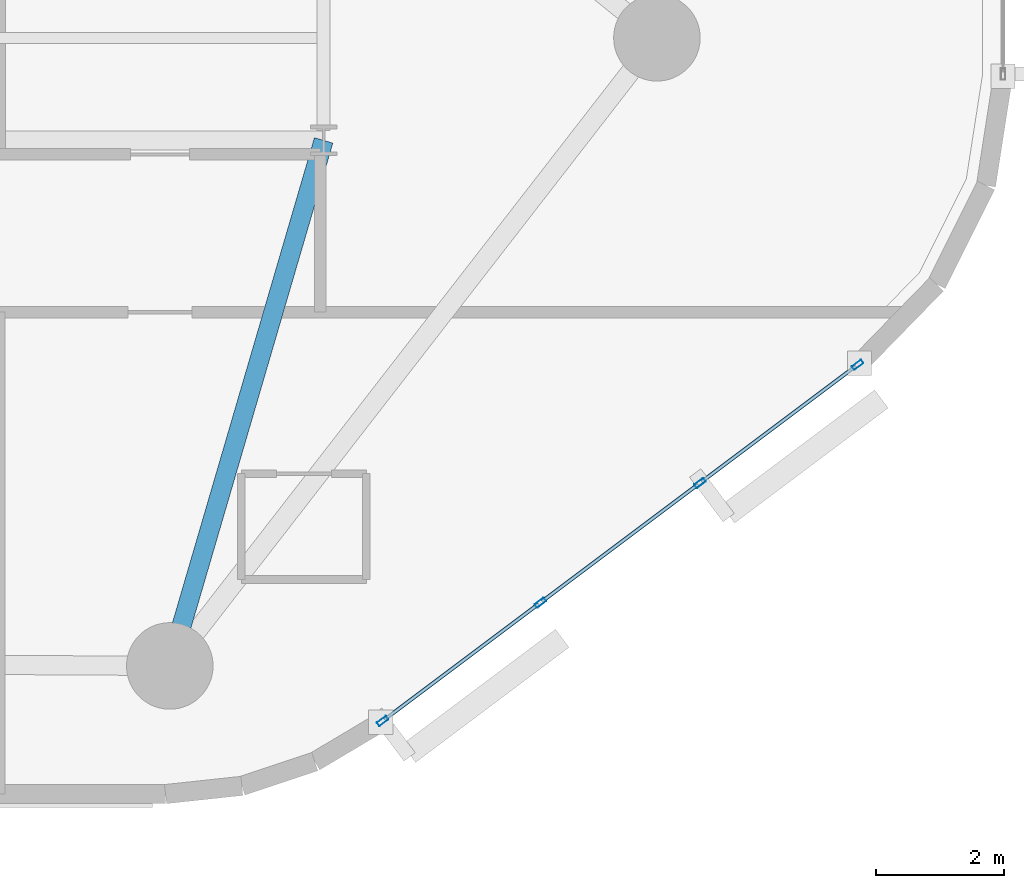
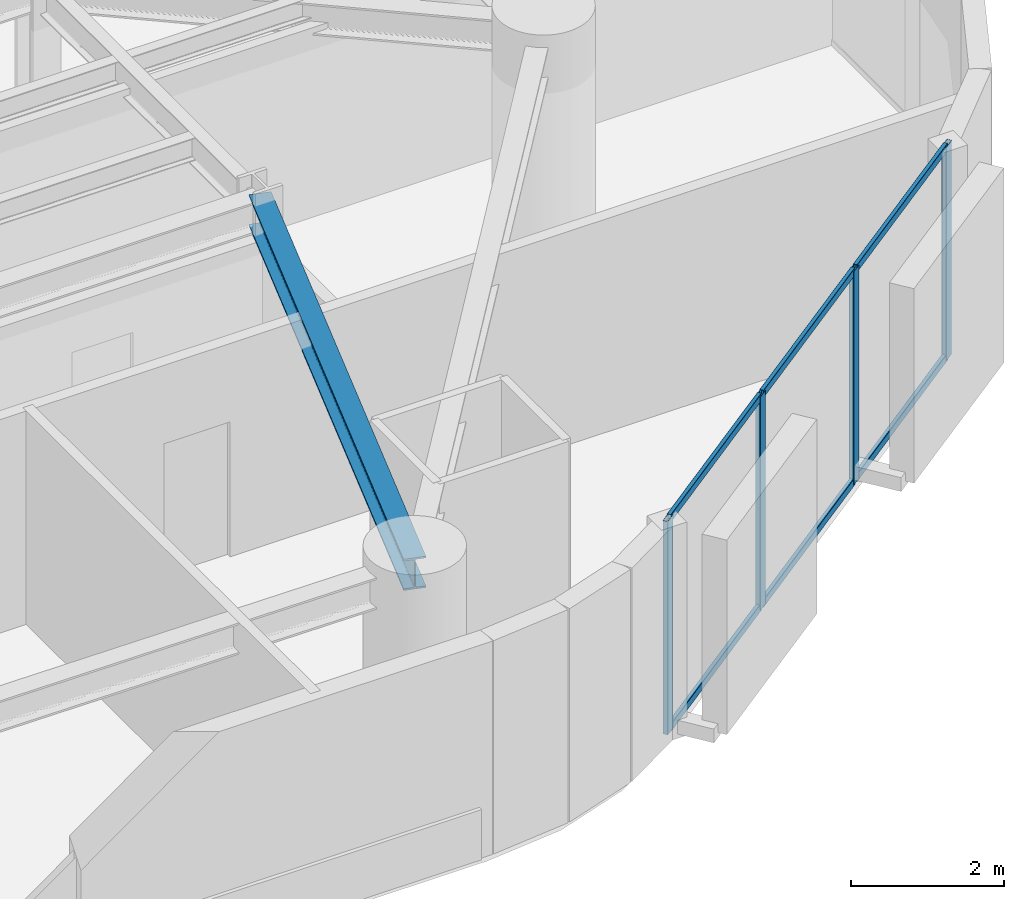
# One storey, part 2 of 15: 10 members, 1 beam, 1 element without a shape of its own.
"""IFC4 building model written with IfcOpenShell, lengths in metres."""

from ifc_helpers import new_model, si_unit, direction, frame, origin, origin_2d, place, context, subcontext, project, spatial, hollow_rectangle, i_section, extrude, material, layer, layer_set, material_profile, profile_set, type_object, element, aggregate, save


model = new_model("IFC4")

# Units and contexts
model_context = context("Model", 3, precision=1e-05, world=origin(), true_north=direction((0.0, 1.0)))
body_context = subcontext(model_context, "Body", "Model", "MODEL_VIEW")
ifc_project = project(units=[si_unit("LENGTHUNIT", "METRE"), si_unit("AREAUNIT", "SQUARE_METRE"), si_unit("VOLUMEUNIT", "CUBIC_METRE"), si_unit("PLANEANGLEUNIT", "RADIAN"), si_unit("MASSUNIT", "GRAM", prefix="KILO")], contexts=[model_context])

# Site, building, storey
site_placement = place(None, origin())
site = spatial("IfcSite", under=ifc_project, at=site_placement, CompositionType="ELEMENT")
building_placement = place(site_placement, origin())
building = spatial("IfcBuilding", under=site, at=building_placement, Name="An Khanh Terracotta Commons", CompositionType="ELEMENT")
storey_placement = place(building_placement, frame((0.0, 0.0, 122.300048828125)))
storey = spatial("IfcBuildingStorey", under=building, at=storey_placement, Name="L32", CompositionType="ELEMENT", Elevation=122.300048828125)

# Beam
ifc_material_1 = material(Name="Steel S355J2", Category="steel")
ifc_material_profile_1 = material_profile(ifc_material_1, i_section(OverallWidth=0.300048828125, OverallDepth=0.5, WebThickness=0.014404296875, FlangeThickness=0.028076171875, FilletRadius=0.027099609375, at=origin_2d()), Name="HEB500")
ifc_profile_set_1 = profile_set([ifc_material_profile_1], Name="Steel S355J2")
beam_type = type_object("IfcBeamType", Name="BM-HEB500", PredefinedType="BEAM", material=ifc_profile_set_1)
beam_placement = place(storey_placement, frame((44.39990234375, 6.199951171875, 3.14990234375), z_axis=(0.280916085823, 0.959732333896, 0.0), x_axis=(-0.959732333896, 0.280916085823, 0.0)))
element("IfcBeam", 1, at=beam_placement, inside=storey, type_object=beam_type, Name="L32 Mega-Column Tie Girder 2", PredefinedType="BEAM", context=body_context, shape_type="SweptSolid", body=[
    extrude(i_section(OverallWidth=0.300048828125, OverallDepth=0.5, WebThickness=0.014404296875, FlangeThickness=0.028076171875, FilletRadius=0.027099609375, at=origin_2d()), origin(), (0.0, 0.0, 1.0), 8.5439453125),
])

# Curtain wall, members
ifc_material_2 = material(Name="Anodised Aluminium 6063-T6", Category="aluminium")
ifc_layer = layer(ifc_material_2, 0.199951171875, Name="Anodised Aluminium 6063-T6")
ifc_layer_set = layer_set([ifc_layer], Name="Anodised Aluminium 6063-T6")
curtain_wall_type = type_object("IfcCurtainWallType", Name="CW-SYS-02", PredefinedType="USERDEFINED", material=ifc_layer_set)
curtain_wall_placement = place(storey_placement, origin())
curtain_wall = element("IfcCurtainWall", 2, at=curtain_wall_placement, inside=storey, type_object=curtain_wall_type, Name="L32 CW-02 Unitised Curtain Wall CW-L32-08", ObjectType="UNITISED CURTAIN WALL", PredefinedType="USERDEFINED")
ifc_material_profile_2 = material_profile(ifc_material_2, hollow_rectangle(XDim=0.070068359375, YDim=0.179931640625, WallThickness=0.00390625, InnerFilletRadius=0.00390625, OuterFilletRadius=0.008056640625, at=origin_2d()), Name="RHS180x70x4")
ifc_profile_set_2 = profile_set([ifc_material_profile_2], Name="Anodised Aluminium 6063-T6")
member_type_1 = type_object("IfcMemberType", Name="CWM-RHS180x70x4", PredefinedType="MULLION", material=ifc_profile_set_2)
member_1_placement = place(storey_placement, frame((47.720947265625, 5.341064453125, 0.0), z_axis=(0.0, 0.0, 1.0), x_axis=(-0.599982857492, 0.800012856594, 0.0)))
member_1 = element("IfcMember", 3, at=member_1_placement, type_object=member_type_1, Name="CW-02 mullion 1", PredefinedType="MULLION", context=body_context, shape_type="SweptSolid", body=[
    extrude(hollow_rectangle(XDim=0.070068359375, YDim=0.179931640625, WallThickness=0.00390625, InnerFilletRadius=0.00390625, OuterFilletRadius=0.008056640625, at=origin_2d()), origin(), (0.0, 0.0, 1.0), 3.39990234375),
])
member_2_placement = place(storey_placement, frame((50.181884765625, 7.186767578125, 0.0), z_axis=(0.0, 0.0, 1.0), x_axis=(-0.599982857492, 0.800012856594, 0.0)))
member_2 = element("IfcMember", 4, at=member_2_placement, type_object=member_type_1, Name="CW-02 mullion 2", PredefinedType="MULLION", context=body_context, shape_type="SweptSolid", body=[
    extrude(hollow_rectangle(XDim=0.070068359375, YDim=0.179931640625, WallThickness=0.00390625, InnerFilletRadius=0.00390625, OuterFilletRadius=0.008056640625, at=origin_2d()), origin(), (0.0, 0.0, 1.0), 3.39990234375),
])
member_3_placement = place(storey_placement, frame((52.6708984375, 9.05322265625, 0.0), z_axis=(0.0, 0.0, 1.0), x_axis=(-0.599982857492, 0.800012856594, 0.0)))
member_3 = element("IfcMember", 5, at=member_3_placement, type_object=member_type_1, Name="CW-02 mullion 3", PredefinedType="MULLION", context=body_context, shape_type="SweptSolid", body=[
    extrude(hollow_rectangle(XDim=0.070068359375, YDim=0.179931640625, WallThickness=0.00390625, InnerFilletRadius=0.00390625, OuterFilletRadius=0.008056640625, at=origin_2d()), origin(), (0.0, 0.0, 1.0), 3.39990234375),
])
member_4_placement = place(storey_placement, frame((55.132080078125, 10.89892578125, 0.0), z_axis=(0.0, 0.0, 1.0), x_axis=(-0.599982857492, 0.800012856594, 0.0)))
member_4 = element("IfcMember", 6, at=member_4_placement, type_object=member_type_1, Name="CW-02 mullion 4", PredefinedType="MULLION", context=body_context, shape_type="SweptSolid", body=[
    extrude(hollow_rectangle(XDim=0.070068359375, YDim=0.179931640625, WallThickness=0.00390625, InnerFilletRadius=0.00390625, OuterFilletRadius=0.008056640625, at=origin_2d()), origin(), (0.0, 0.0, 1.0), 3.39990234375),
])
ifc_material_profile_3 = material_profile(ifc_material_2, hollow_rectangle(XDim=0.06005859375, YDim=0.1201171875, WallThickness=0.003662109375, InnerFilletRadius=0.003662109375, OuterFilletRadius=0.007080078125, at=origin_2d()), Name="RHS120x60x3.6")
ifc_profile_set_3 = profile_set([ifc_material_profile_3], Name="Anodised Aluminium 6063-T6")
member_type_2 = type_object("IfcMemberType", Name="CWT-RHS120x60x3.6", PredefinedType="USERDEFINED", material=ifc_profile_set_3)
member_5_placement = place(storey_placement, frame((47.7490234375, 5.362060546875, 0.030029296875), z_axis=(0.800009745217, 0.599987006158, 0.0), x_axis=(-0.599987006158, 0.800009745217, 0.0)))
member_5 = element("IfcMember", 7, at=member_5_placement, type_object=member_type_2, Name="CW-02 transom 1.1", ObjectType="TRANSOM", PredefinedType="USERDEFINED", context=body_context, shape_type="SweptSolid", body=[
    extrude(hollow_rectangle(XDim=0.06005859375, YDim=0.1201171875, WallThickness=0.003662109375, InnerFilletRadius=0.003662109375, OuterFilletRadius=0.007080078125, at=origin_2d()), origin(), (0.0, 0.0, 1.0), 3.00634765625),
])
member_6_placement = place(storey_placement, frame((47.7490234375, 5.362060546875, 3.369873046875), z_axis=(0.800009745217, 0.599987006158, 0.0), x_axis=(-0.599987006158, 0.800009745217, 0.0)))
member_6 = element("IfcMember", 8, at=member_6_placement, type_object=member_type_2, Name="CW-02 transom 1.2", ObjectType="TRANSOM", PredefinedType="USERDEFINED", context=body_context, shape_type="SweptSolid", body=[
    extrude(hollow_rectangle(XDim=0.06005859375, YDim=0.1201171875, WallThickness=0.003662109375, InnerFilletRadius=0.003662109375, OuterFilletRadius=0.007080078125, at=origin_2d()), origin(), (0.0, 0.0, 1.0), 3.00634765625),
])
member_7_placement = place(storey_placement, frame((50.2099609375, 7.207763671875, 0.030029296875), z_axis=(0.800057796972, 0.599922929638, 0.0), x_axis=(-0.599922929638, 0.800057796972, 0.0)))
member_7 = element("IfcMember", 9, at=member_7_placement, type_object=member_type_2, Name="CW-02 transom 2.1", ObjectType="TRANSOM", PredefinedType="USERDEFINED", context=body_context, shape_type="SweptSolid", body=[
    extrude(hollow_rectangle(XDim=0.06005859375, YDim=0.1201171875, WallThickness=0.003662109375, InnerFilletRadius=0.003662109375, OuterFilletRadius=0.007080078125, at=origin_2d()), origin(), (0.0, 0.0, 1.0), 3.041259765625),
])
member_8_placement = place(storey_placement, frame((50.2099609375, 7.207763671875, 3.369873046875), z_axis=(0.800057796972, 0.599922929638, 0.0), x_axis=(-0.599922929638, 0.800057796972, 0.0)))
member_8 = element("IfcMember", 10, at=member_8_placement, type_object=member_type_2, Name="CW-02 transom 2.2", ObjectType="TRANSOM", PredefinedType="USERDEFINED", context=body_context, shape_type="SweptSolid", body=[
    extrude(hollow_rectangle(XDim=0.06005859375, YDim=0.1201171875, WallThickness=0.003662109375, InnerFilletRadius=0.003662109375, OuterFilletRadius=0.007080078125, at=origin_2d()), origin(), (0.0, 0.0, 1.0), 3.041259765625),
])
member_9_placement = place(storey_placement, frame((52.698974609375, 9.07421875, 0.030029296875), z_axis=(0.800009745217, 0.599987006158, 0.0), x_axis=(-0.599987006158, 0.800009745217, 0.0)))
member_9 = element("IfcMember", 11, at=member_9_placement, type_object=member_type_2, Name="CW-02 transom 3.1", ObjectType="TRANSOM", PredefinedType="USERDEFINED", context=body_context, shape_type="SweptSolid", body=[
    extrude(hollow_rectangle(XDim=0.06005859375, YDim=0.1201171875, WallThickness=0.003662109375, InnerFilletRadius=0.003662109375, OuterFilletRadius=0.007080078125, at=origin_2d()), origin(), (0.0, 0.0, 1.0), 3.00634765625),
])
member_10_placement = place(storey_placement, frame((52.698974609375, 9.07421875, 3.369873046875), z_axis=(0.800009745217, 0.599987006158, 0.0), x_axis=(-0.599987006158, 0.800009745217, 0.0)))
member_10 = element("IfcMember", 12, at=member_10_placement, type_object=member_type_2, Name="CW-02 transom 3.2", ObjectType="TRANSOM", PredefinedType="USERDEFINED", context=body_context, shape_type="SweptSolid", body=[
    extrude(hollow_rectangle(XDim=0.06005859375, YDim=0.1201171875, WallThickness=0.003662109375, InnerFilletRadius=0.003662109375, OuterFilletRadius=0.007080078125, at=origin_2d()), origin(), (0.0, 0.0, 1.0), 3.00634765625),
])
aggregate(curtain_wall, [member_1, member_2, member_3, member_4, member_5, member_6, member_7, member_8, member_9, member_10])

save(model, "model.ifc")
